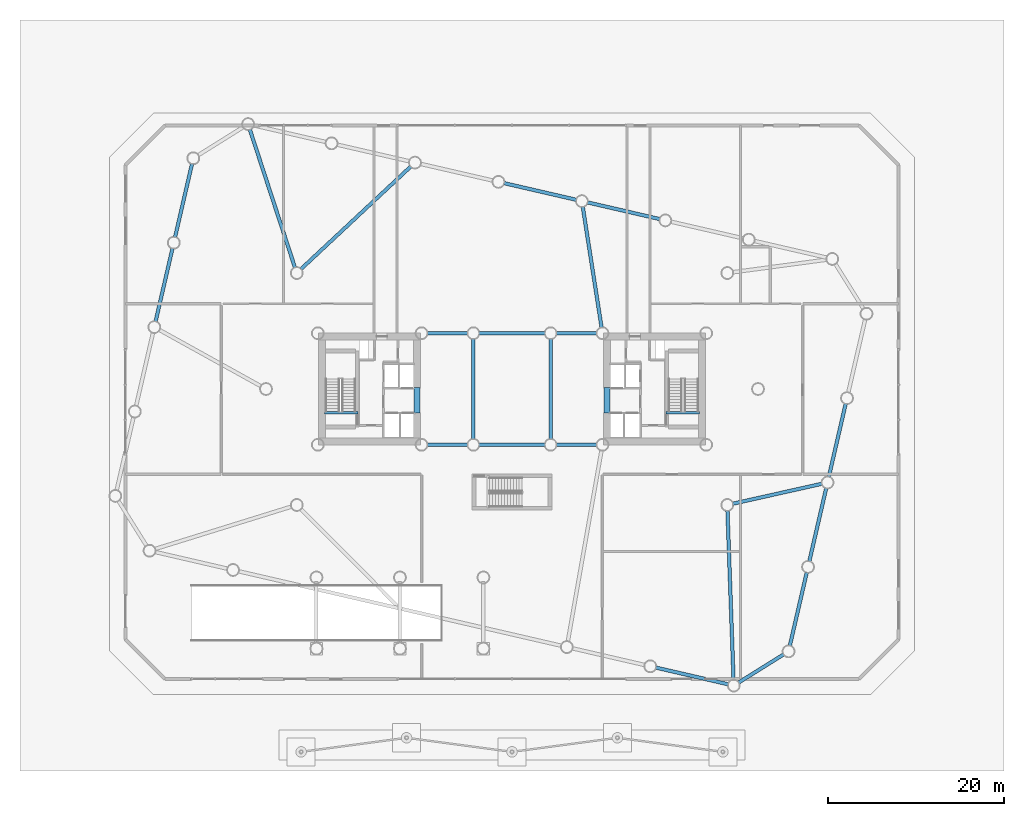
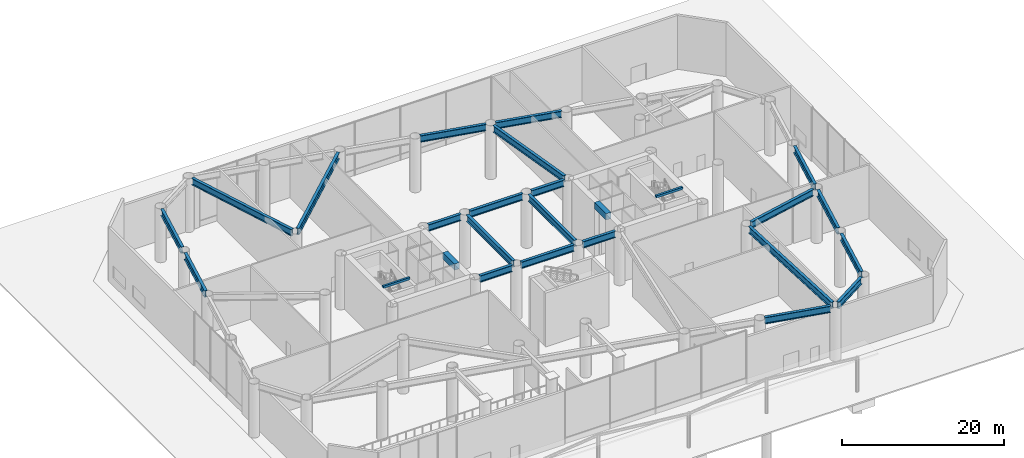
# One storey, part 14 of 28: 26 beams.
"""IFC4 building model written with IfcOpenShell, lengths in metres."""

import ifcopenshell
import ifcopenshell.guid

model = None  # the IFC model being written
_history = None  # IfcOwnerHistory: only IFC2X3 demands one
_inside = {}  # id of a spatial element -> (the spatial element, [elements in it])
_under = {}  # id of a project, library or spatial element -> (it, [spatial elements below it])
_declared = {}  # id of a project -> (the project, [libraries it declares])
_typed = {}  # id of a type object -> (the type object, [elements of that type])
_made_of = {}  # id of a material, layer set ... -> (it, [elements and type objects made of it])


def new_model(schema):
    """Start an empty IFC model of exactly this schema.

    Asked for "IFC4X3", IfcOpenShell would pick the latest addendum, in which some entities
    have other attributes; the version numbers below select the first issue.
    IFC2X3 requires an IfcOwnerHistory on every rooted entity: one is made here for all.
    """
    global model, _history
    if schema == "IFC4X3":
        model = ifcopenshell.file(schema_version=(4, 3, 0, 0))
    else:
        model = ifcopenshell.file(schema=schema)
    _inside.clear()
    _under.clear()
    _declared.clear()
    _typed.clear()
    _made_of.clear()
    _history = None
    if model.schema == "IFC2X3":
        org = make("IfcOrganization", Name="unknown")
        user = make(
            "IfcPersonAndOrganization",
            ThePerson=make("IfcPerson", FamilyName="unknown"),
            TheOrganization=org,
        )
        app = make(
            "IfcApplication",
            ApplicationDeveloper=org,
            Version="unknown",
            ApplicationFullName="unknown",
            ApplicationIdentifier="unknown",
        )
        _history = make(
            "IfcOwnerHistory",
            OwningUser=user,
            OwningApplication=app,
            ChangeAction="ADDED",
            CreationDate=0,
        )
    return model


def make(cls, **values):
    """One entity of the class cls with the attributes given. An attribute that is None is left unset."""
    return model.create_entity(
        cls, **{name: value for name, value in values.items() if value is not None}
    )


def rooted(cls, **values):
    """An entity with a GlobalId (a new one), such as an element, a storey or a relation."""
    return make(cls, GlobalId=ifcopenshell.guid.new(), OwnerHistory=_history, **values)


def si_unit(unit_type, name, prefix=None):
    """IfcSIUnit, for example si_unit("LENGTHUNIT", "METRE", prefix="MILLI")."""
    return make("IfcSIUnit", UnitType=unit_type, Prefix=prefix, Name=name)


def assignment(units):
    """IfcUnitAssignment: the units of a project."""
    return None if units is None else make("IfcUnitAssignment", Units=units)


def point(xyz):
    """IfcCartesianPoint."""
    return None if xyz is None else make("IfcCartesianPoint", Coordinates=xyz)


def direction(xyz):
    """IfcDirection."""
    return None if xyz is None else make("IfcDirection", DirectionRatios=xyz)


def frame(location, z_axis=None, x_axis=None):
    """IfcAxis2Placement3D, a coordinate frame: its origin and axes. An axis left out is left unset."""
    return make(
        "IfcAxis2Placement3D",
        Location=point(location),
        Axis=direction(z_axis),
        RefDirection=direction(x_axis),
    )


def frame_2d(location, x_axis=None):
    """IfcAxis2Placement2D, a coordinate frame in the plane: its origin and x axis."""
    return make(
        "IfcAxis2Placement2D", Location=point(location), RefDirection=direction(x_axis)
    )


def origin():
    """The frame at (0, 0, 0) with its axes left unset."""
    return frame((0.0, 0.0, 0.0))


def origin_2d():
    """The frame at (0, 0) in the plane with its x axis left unset."""
    return frame_2d((0.0, 0.0))


def place(relative_to, where):
    """IfcLocalPlacement: puts the frame where relative to a parent placement (None: the world)."""
    return make(
        "IfcLocalPlacement", PlacementRelTo=relative_to, RelativePlacement=where
    )


def context(
    kind, dimensions, precision=None, world=None, true_north=None, identifier=None
):
    """IfcGeometricRepresentationContext, for example the 3D "Model" context."""
    return make(
        "IfcGeometricRepresentationContext",
        ContextIdentifier=identifier,
        ContextType=kind,
        CoordinateSpaceDimension=dimensions,
        Precision=precision,
        WorldCoordinateSystem=world,
        TrueNorth=true_north,
    )


def subcontext(parent, identifier, kind, view, scale=None):
    """IfcGeometricRepresentationSubContext, for example "Body" below "Model"."""
    return make(
        "IfcGeometricRepresentationSubContext",
        ContextIdentifier=identifier,
        ContextType=kind,
        ParentContext=parent,
        TargetScale=scale,
        TargetView=view,
    )


def project(units=None, contexts=None):
    """IfcProject with its units and contexts."""
    return rooted(
        "IfcProject",
        Name="project",
        RepresentationContexts=contexts,
        UnitsInContext=assignment(units),
    )


def spatial(cls, under=None, at=None, **own):
    """A site, building, storey or space (cls), placed at a placement, below another one or the project."""
    s = rooted(cls, ObjectPlacement=at, **own)
    if under is not None:
        _under.setdefault(under.id(), (under, []))[1].append(s)
    return s


def profile(cls, at=None, kind="AREA", **sizes):
    """A parametric profile (cls). Its sizes go by their IFC names, for example OverallWidth=200.0."""
    return make(cls, ProfileType=kind, Position=at, **sizes)


def rectangle(**sizes):
    """IfcRectangleProfileDef."""
    return profile("IfcRectangleProfileDef", **sizes)


def i_section(**sizes):
    """IfcIShapeProfileDef."""
    return profile("IfcIShapeProfileDef", **sizes)


def extrude(swept, where, along, depth):
    """IfcExtrudedAreaSolid: the profile swept, set in the frame where, extruded along a direction by depth."""
    return make(
        "IfcExtrudedAreaSolid",
        SweptArea=swept,
        Position=where,
        ExtrudedDirection=direction(along),
        Depth=depth,
    )


def shape(context_of_items, identifier, shape_type, items):
    """IfcShapeRepresentation: the items that make up one representation, for example the "Body"."""
    return make(
        "IfcShapeRepresentation",
        ContextOfItems=context_of_items,
        RepresentationIdentifier=identifier,
        RepresentationType=shape_type,
        Items=items,
    )


def material(Name=None, Category=None):
    """IfcMaterial."""
    return make("IfcMaterial", Name=Name, Category=Category)


def material_profile(
    of_material, cross_section, Name=None, Category=None, Priority=None
):
    """IfcMaterialProfile: a cross section and its material."""
    return make(
        "IfcMaterialProfile",
        Name=Name,
        Material=of_material,
        Profile=cross_section,
        Priority=Priority,
        Category=Category,
    )


def profile_set(profiles, Name=None, composite=None):
    """IfcMaterialProfileSet."""
    return make(
        "IfcMaterialProfileSet",
        Name=Name,
        MaterialProfiles=profiles,
        CompositeProfile=composite,
    )


def made_of(thing, what):
    """Note that an element or type object is made of a material, layer set ...; save() writes the relation."""
    if what is not None:
        _made_of.setdefault(what.id(), (what, []))[1].append(thing)
    return thing


def type_object(cls, material=None, **own):
    """A type object (cls), such as IfcWallType, which elements share."""
    return made_of(rooted(cls, **own), material)


def element(
    cls,
    number,
    at=None,
    inside=None,
    cuts=None,
    type_object=None,
    material=None,
    context=None,
    identifier="Body",
    shape_type=None,
    held_by="IfcProductDefinitionShape",
    body=None,
    shapes=None,
    **own,
):
    """One element of the class cls, such as IfcWall. Its Tag is "e" and its number.

    at: its placement. inside: the storey or other place that contains it. cuts: it is an
    opening in that element (IfcRelVoidsElement). A single representation is given by context,
    identifier, shape_type and body (its items); several are given by shapes. held_by: the class
    of the entity that holds the representations. save() writes the other relations.
    """
    e = rooted(cls, Tag="e%d" % number, ObjectPlacement=at, **own)
    if body is not None:
        shapes = [shape(context, identifier, shape_type, body)]
    if shapes is not None:
        e.Representation = make(held_by, Representations=shapes)
    if inside is not None:
        _inside.setdefault(inside.id(), (inside, []))[1].append(e)
    if cuts is not None:
        rooted(
            "IfcRelVoidsElement", RelatingBuildingElement=cuts, RelatedOpeningElement=e
        )
    if type_object is not None:
        _typed.setdefault(type_object.id(), (type_object, []))[1].append(e)
    return made_of(e, material)


def aggregate(whole, parts):
    """IfcRelAggregates: a whole, such as a stair, and the parts it consists of."""
    return rooted("IfcRelAggregates", RelatingObject=whole, RelatedObjects=parts)


def save(model, path):
    """Write the relations noted so far, then the file.

    IfcRelAggregates (storeys below a building ...), IfcRelContainedInSpatialStructure (elements
    in a storey), IfcRelDefinesByType, IfcRelAssociatesMaterial and IfcRelDeclares: one each for
    every whole, place, type object, material and project.
    """
    for whole, parts in _under.values():
        aggregate(whole, parts)
    for where, things in _inside.values():
        rooted(
            "IfcRelContainedInSpatialStructure",
            RelatedElements=things,
            RelatingStructure=where,
        )
    for kind, things in _typed.values():
        rooted("IfcRelDefinesByType", RelatedObjects=things, RelatingType=kind)
    for what, things in _made_of.values():
        rooted("IfcRelAssociatesMaterial", RelatedObjects=things, RelatingMaterial=what)
    for by, libraries in _declared.values():
        rooted("IfcRelDeclares", RelatingContext=by, RelatedDefinitions=libraries)
    model.write(path)


model = new_model("IFC4")

# Units and contexts
model_context = context("Model", 3, precision=1e-05, world=origin(), true_north=direction((0.0, 1.0)))
body_context = subcontext(model_context, "Body", "Model", "MODEL_VIEW")
ifc_project = project(units=[si_unit("LENGTHUNIT", "METRE"), si_unit("AREAUNIT", "SQUARE_METRE"), si_unit("VOLUMEUNIT", "CUBIC_METRE"), si_unit("PLANEANGLEUNIT", "RADIAN"), si_unit("MASSUNIT", "GRAM", prefix="KILO")], contexts=[model_context])

# Site, building, storey
site_placement = place(None, origin())
site = spatial("IfcSite", under=ifc_project, at=site_placement, CompositionType="ELEMENT")
building_placement = place(site_placement, origin())
building = spatial("IfcBuilding", under=site, at=building_placement, Name="Tavrogorsk Clinical Tower", CompositionType="ELEMENT")
storey_placement = place(building_placement, origin())
storey = spatial("IfcBuildingStorey", under=building, at=storey_placement, Name="L00", CompositionType="ELEMENT", Elevation=0.0)

# Beams
ifc_material_1 = material(Name="Concrete B80", Category="concrete")
ifc_material_profile_1 = material_profile(ifc_material_1, rectangle(XDim=0.699951171875, YDim=0.949951171875, at=origin_2d()), Name="RC-CB-700x950")
ifc_profile_set_1 = profile_set([ifc_material_profile_1], Name="Concrete B80")
beam_type_1 = type_object("IfcBeamType", Name="CouplingBeam_RC700x950", PredefinedType="LINTEL", material=ifc_profile_set_1)
for number, where, z_axis, x_axis, name in (
    (1, (-10.800048828125, -2.75, 7.625), (0.0, 1.0, 0.0), (-1.0, 0.0, 0.0), "L00 Core West Coupling Beam"),
    (2, (10.800048828125, -2.75, 7.625), (0.0, 1.0, 0.0), (-1.0, 0.0, 0.0), "L00 Core East Coupling Beam"),
):
    element("IfcBeam", number, at=place(storey_placement, frame(where, z_axis=z_axis, x_axis=x_axis)), inside=storey, type_object=beam_type_1, Name=name, PredefinedType="LINTEL", context=body_context, shape_type="SweptSolid", body=[
        extrude(rectangle(XDim=0.699951171875, YDim=0.949951171875, at=origin_2d()), origin(), (0.0, 0.0, 1.0), 2.89990234375),
    ])
ifc_material_2 = material(Name="Concrete B60", Category="concrete")
ifc_material_profile_2 = material_profile(ifc_material_2, rectangle(XDim=0.300048828125, YDim=0.35009765625, at=origin_2d()), Name="RC-SHB-300x350")
ifc_profile_set_2 = profile_set([ifc_material_profile_2], Name="Concrete B60")
beam_type_2 = type_object("IfcBeamType", Name="StairHeaderBeam_RC300x350", PredefinedType="BEAM", material=ifc_profile_set_2)
for number, where, z_axis, x_axis, name in (
    (3, (-21.35009765625, -2.719970703125, 8.22509765625), (1.0, 0.0, 0.0), (0.0, 1.0, 0.0), "L01 ST-W Landing Header Beam"),
    (4, (17.550048828125, -2.719970703125, 8.22509765625), (1.0, 0.0, 0.0), (0.0, 1.0, 0.0), "L01 ST-E Landing Header Beam"),
):
    element("IfcBeam", number, at=place(storey_placement, frame(where, z_axis=z_axis, x_axis=x_axis)), inside=storey, type_object=beam_type_2, Name=name, PredefinedType="BEAM", context=body_context, shape_type="SweptSolid", body=[
        extrude(rectangle(XDim=0.300048828125, YDim=0.35009765625, at=origin_2d()), origin(), (0.0, 0.0, 1.0), 3.800048828125),
    ])
ifc_material_3 = material(Name="Structural steel S440", Category="steel")
ifc_material_profile_3 = material_profile(ifc_material_3, i_section(OverallWidth=0.39990234375, OverallDepth=1.0, WebThickness=0.028076171875, FlangeThickness=0.044921875, at=origin_2d()), Name="DK-1000x400x28x45")
ifc_profile_set_3 = profile_set([ifc_material_profile_3], Name="Structural steel S440")
beam_type_3 = type_object("IfcBeamType", Name="TransferGirder_DK1000", PredefinedType="USERDEFINED", material=ifc_profile_set_3)
for number, where, z_axis, x_axis, name in (
    (5, (-9.679931640625, -6.35009765625, 7.60009765625), (1.0, 0.0, 0.0), (0.0, 1.0, 0.0), "L00 Primary Spine Girder MG-01"),
    (6, (-9.679931640625, 6.35009765625, 7.60009765625), (1.0, 0.0, 0.0), (0.0, 1.0, 0.0), "L00 Primary Spine Girder MG-02"),
):
    element("IfcBeam", number, at=place(storey_placement, frame(where, z_axis=z_axis, x_axis=x_axis)), inside=storey, type_object=beam_type_3, Name=name, ObjectType="GIRDER", PredefinedType="USERDEFINED", context=body_context, shape_type="SweptSolid", body=[
        extrude(i_section(OverallWidth=0.39990234375, OverallDepth=1.0, WebThickness=0.028076171875, FlangeThickness=0.044921875, at=origin_2d()), origin(), (0.0, 0.0, 1.0), 4.659912109375),
    ])
for number, where, z_axis, x_axis, name in (
    (7, (-3.780029296875, -6.35009765625, 7.60009765625), (1.0, 0.0, 0.0), (0.0, 1.0, 0.0), "L00 Primary Spine Girder MG-03"),
    (8, (-3.780029296875, 6.35009765625, 7.60009765625), (1.0, 0.0, 0.0), (0.0, 1.0, 0.0), "L00 Primary Spine Girder MG-04"),
):
    element("IfcBeam", number, at=place(storey_placement, frame(where, z_axis=z_axis, x_axis=x_axis)), inside=storey, type_object=beam_type_3, Name=name, ObjectType="GIRDER", PredefinedType="USERDEFINED", context=body_context, shape_type="SweptSolid", body=[
        extrude(i_section(OverallWidth=0.39990234375, OverallDepth=1.0, WebThickness=0.028076171875, FlangeThickness=0.044921875, at=origin_2d()), origin(), (0.0, 0.0, 1.0), 7.56005859375),
    ])
for number, where, z_axis, x_axis, name in (
    (9, (5.02001953125, -6.35009765625, 7.60009765625), (1.0, 0.0, 0.0), (0.0, 1.0, 0.0), "L00 Primary Spine Girder MG-05"),
    (10, (5.02001953125, 6.35009765625, 7.60009765625), (1.0, 0.0, 0.0), (0.0, 1.0, 0.0), "L00 Primary Spine Girder MG-06"),
):
    element("IfcBeam", number, at=place(storey_placement, frame(where, z_axis=z_axis, x_axis=x_axis)), inside=storey, type_object=beam_type_3, Name=name, ObjectType="GIRDER", PredefinedType="USERDEFINED", context=body_context, shape_type="SweptSolid", body=[
        extrude(i_section(OverallWidth=0.39990234375, OverallDepth=1.0, WebThickness=0.028076171875, FlangeThickness=0.044921875, at=origin_2d()), origin(), (0.0, 0.0, 1.0), 4.659912109375),
    ])
for number, where, z_axis, x_axis, name in (
    (11, (-4.39990234375, -5.72998046875, 7.60009765625), (0.0, 1.0, 0.0), (-1.0, 0.0, 0.0), "L00 Primary Spine Girder MG-07"),
    (12, (4.39990234375, -5.72998046875, 7.60009765625), (0.0, 1.0, 0.0), (-1.0, 0.0, 0.0), "L00 Primary Spine Girder MG-08"),
):
    element("IfcBeam", number, at=place(storey_placement, frame(where, z_axis=z_axis, x_axis=x_axis)), inside=storey, type_object=beam_type_3, Name=name, ObjectType="GIRDER", PredefinedType="USERDEFINED", context=body_context, shape_type="SweptSolid", body=[
        extrude(i_section(OverallWidth=0.39990234375, OverallDepth=1.0, WebThickness=0.028076171875, FlangeThickness=0.044921875, at=origin_2d()), origin(), (0.0, 0.0, 1.0), 11.4599609375),
    ])
beam_1_placement = place(storey_placement, frame((16.34521484375, -31.703125, 7.60009765625), z_axis=(0.974367493424, -0.224962191844, 0.0), x_axis=(0.224962191844, 0.974367493424, 0.0)))
element("IfcBeam", 13, at=beam_1_placement, inside=storey, type_object=beam_type_3, Name="L00 Perimeter Stilt Ring Girder S7-S8", ObjectType="GIRDER", PredefinedType="USERDEFINED", context=body_context, shape_type="SweptSolid", body=[
    extrude(i_section(OverallWidth=0.39990234375, OverallDepth=1.0, WebThickness=0.028076171875, FlangeThickness=0.044921875, at=origin_2d()), origin(), (0.0, 0.0, 1.0), 8.50830078125),
])
beam_2_placement = place(storey_placement, frame((25.765380859375, -33.427978515625, 7.60009765625), z_axis=(0.848065597481, 0.52989125523, 0.0), x_axis=(-0.52989125523, 0.848065597481, 0.0)))
element("IfcBeam", 14, at=beam_2_placement, inside=storey, type_object=beam_type_3, Name="L00 Perimeter Stilt Ring Girder S8-E1", ObjectType="GIRDER", PredefinedType="USERDEFINED", context=body_context, shape_type="SweptSolid", body=[
    extrude(i_section(OverallWidth=0.39990234375, OverallDepth=1.0, WebThickness=0.028076171875, FlangeThickness=0.044921875, at=origin_2d()), origin(), (0.0, 0.0, 1.0), 6.114013671875),
])
beam_3_placement = place(storey_placement, frame((31.61572265625, -29.255615234375, 7.60009765625), z_axis=(0.224936039974, 0.974373531004, 0.0), x_axis=(-0.974373531004, 0.224936039974, 0.0)))
element("IfcBeam", 15, at=beam_3_placement, inside=storey, type_object=beam_type_3, Name="L00 Perimeter Stilt Ring Girder E1-E2", ObjectType="GIRDER", PredefinedType="USERDEFINED", context=body_context, shape_type="SweptSolid", body=[
    extrude(i_section(OverallWidth=0.39990234375, OverallDepth=1.0, WebThickness=0.028076171875, FlangeThickness=0.044921875, at=origin_2d()), origin(), (0.0, 0.0, 1.0), 8.6201171875),
])
beam_4_placement = place(storey_placement, frame((33.833740234375, -19.648193359375, 7.60009765625), z_axis=(0.224942247597, 0.974372097941, 0.0), x_axis=(-0.974372097941, 0.224942247597, 0.0)))
element("IfcBeam", 16, at=beam_4_placement, inside=storey, type_object=beam_type_3, Name="L00 Perimeter Stilt Ring Girder E2-E3", ObjectType="GIRDER", PredefinedType="USERDEFINED", context=body_context, shape_type="SweptSolid", body=[
    extrude(i_section(OverallWidth=0.39990234375, OverallDepth=1.0, WebThickness=0.028076171875, FlangeThickness=0.044921875, at=origin_2d()), origin(), (0.0, 0.0, 1.0), 8.619873046875),
])
beam_5_placement = place(storey_placement, frame((36.0517578125, -10.041015625, 7.60009765625), z_axis=(0.224936039974, 0.974373531004, 0.0), x_axis=(-0.974373531004, 0.224936039974, 0.0)))
element("IfcBeam", 17, at=beam_5_placement, inside=storey, type_object=beam_type_3, Name="L00 Perimeter Stilt Ring Girder E3-E4", ObjectType="GIRDER", PredefinedType="USERDEFINED", context=body_context, shape_type="SweptSolid", body=[
    extrude(i_section(OverallWidth=0.39990234375, OverallDepth=1.0, WebThickness=0.028076171875, FlangeThickness=0.044921875, at=origin_2d()), origin(), (0.0, 0.0, 1.0), 8.6201171875),
])
for number, where, z_axis, x_axis, name in (
    (18, (16.849853515625, 19.331298828125, 7.60009765625), (-0.974368945516, 0.224955902375, 0.0), (-0.224955902375, -0.974368945516, 0.0), "L00 Perimeter Stilt Ring Girder N3-N4"),
    (19, (7.35107421875, 21.524169921875, 7.60009765625), (-0.974368945516, 0.224955902375, 0.0), (-0.224955902375, -0.974368945516, 0.0), "L00 Perimeter Stilt Ring Girder N4-N5"),
):
    element("IfcBeam", number, at=place(storey_placement, frame(where, z_axis=z_axis, x_axis=x_axis)), inside=storey, type_object=beam_type_3, Name=name, ObjectType="GIRDER", PredefinedType="USERDEFINED", context=body_context, shape_type="SweptSolid", body=[
        extrude(i_section(OverallWidth=0.39990234375, OverallDepth=1.0, WebThickness=0.028076171875, FlangeThickness=0.044921875, at=origin_2d()), origin(), (0.0, 0.0, 1.0), 8.508544921875),
    ])
beam_6_placement = place(storey_placement, frame((-36.415771484375, 25.655517578125, 7.60009765625), z_axis=(-0.224942247597, -0.974372097941, 0.0), x_axis=(0.974372097941, -0.224942247597, 0.0)))
element("IfcBeam", 20, at=beam_6_placement, inside=storey, type_object=beam_type_3, Name="L00 Perimeter Stilt Ring Girder W1-W2", ObjectType="GIRDER", PredefinedType="USERDEFINED", context=body_context, shape_type="SweptSolid", body=[
    extrude(i_section(OverallWidth=0.39990234375, OverallDepth=1.0, WebThickness=0.028076171875, FlangeThickness=0.044921875, at=origin_2d()), origin(), (0.0, 0.0, 1.0), 8.619873046875),
])
beam_7_placement = place(storey_placement, frame((-38.6337890625, 16.04833984375, 7.60009765625), z_axis=(-0.224936039974, -0.974373531004, 0.0), x_axis=(0.974373531004, -0.224936039974, 0.0)))
element("IfcBeam", 21, at=beam_7_placement, inside=storey, type_object=beam_type_3, Name="L00 Perimeter Stilt Ring Girder W2-W3", ObjectType="GIRDER", PredefinedType="USERDEFINED", context=body_context, shape_type="SweptSolid", body=[
    extrude(i_section(OverallWidth=0.39990234375, OverallDepth=1.0, WebThickness=0.028076171875, FlangeThickness=0.044921875, at=origin_2d()), origin(), (0.0, 0.0, 1.0), 8.6201171875),
])
beam_8_placement = place(storey_placement, frame((24.522216796875, -13.819580078125, 7.60009765625), z_axis=(0.035958227939, -0.999353293807, 0.0), x_axis=(0.999353293807, 0.035958227939, 0.0)))
element("IfcBeam", 22, at=beam_8_placement, inside=storey, type_object=beam_type_3, Name="L00 Radial Podium Girder S8", ObjectType="GIRDER", PredefinedType="USERDEFINED", context=body_context, shape_type="SweptSolid", body=[
    extrude(i_section(OverallWidth=0.39990234375, OverallDepth=1.0, WebThickness=0.028076171875, FlangeThickness=0.044921875, at=origin_2d()), origin(), (0.0, 0.0, 1.0), 19.329833984375),
])
beam_9_placement = place(storey_placement, frame((25.10498046875, -13.064453125, 7.60009765625), z_axis=(0.975845741018, 0.218460728133, 0.0), x_axis=(-0.218460728133, 0.975845741018, 0.0)))
element("IfcBeam", 23, at=beam_9_placement, inside=storey, type_object=beam_type_3, Name="L00 Radial Podium Girder E3", ObjectType="GIRDER", PredefinedType="USERDEFINED", context=body_context, shape_type="SweptSolid", body=[
    extrude(i_section(OverallWidth=0.39990234375, OverallDepth=1.0, WebThickness=0.028076171875, FlangeThickness=0.044921875, at=origin_2d()), origin(), (0.0, 0.0, 1.0), 10.45458984375),
])
beam_10_placement = place(storey_placement, frame((10.204345703125, 6.962646484375, 7.60009765625), z_axis=(-0.15408486388, 0.988057617107, 0.0), x_axis=(-0.988057617107, -0.15408486388, 0.0)))
element("IfcBeam", 24, at=beam_10_placement, inside=storey, type_object=beam_type_3, Name="L00 Radial Podium Girder N4", ObjectType="GIRDER", PredefinedType="USERDEFINED", context=body_context, shape_type="SweptSolid", body=[
    extrude(i_section(OverallWidth=0.39990234375, OverallDepth=1.0, WebThickness=0.028076171875, FlangeThickness=0.044921875, at=origin_2d()), origin(), (0.0, 0.0, 1.0), 13.9765625),
])
beam_11_placement = place(storey_placement, frame((-24.046875, 13.623291015625, 7.60009765625), z_axis=(0.730782939425, 0.682609914553, 0.0), x_axis=(-0.682609914553, 0.730782939425, 0.0)))
element("IfcBeam", 25, at=beam_11_placement, inside=storey, type_object=beam_type_3, Name="L00 Radial Podium Girder N6", ObjectType="GIRDER", PredefinedType="USERDEFINED", context=body_context, shape_type="SweptSolid", body=[
    extrude(i_section(OverallWidth=0.39990234375, OverallDepth=1.0, WebThickness=0.028076171875, FlangeThickness=0.044921875, at=origin_2d()), origin(), (0.0, 0.0, 1.0), 17.175537109375),
])
beam_12_placement = place(storey_placement, frame((-24.692626953125, 13.789306640625, 7.60009765625), z_axis=(-0.310543101717, 0.950559299558, 0.0), x_axis=(-0.950559299558, -0.310543101717, 0.0)))
element("IfcBeam", 26, at=beam_12_placement, inside=storey, type_object=beam_type_3, Name="L00 Radial Podium Girder N8", ObjectType="GIRDER", PredefinedType="USERDEFINED", context=body_context, shape_type="SweptSolid", body=[
    extrude(i_section(OverallWidth=0.39990234375, OverallDepth=1.0, WebThickness=0.028076171875, FlangeThickness=0.044921875, at=origin_2d()), origin(), (0.0, 0.0, 1.0), 16.598388671875),
])

save(model, "model.ifc")
